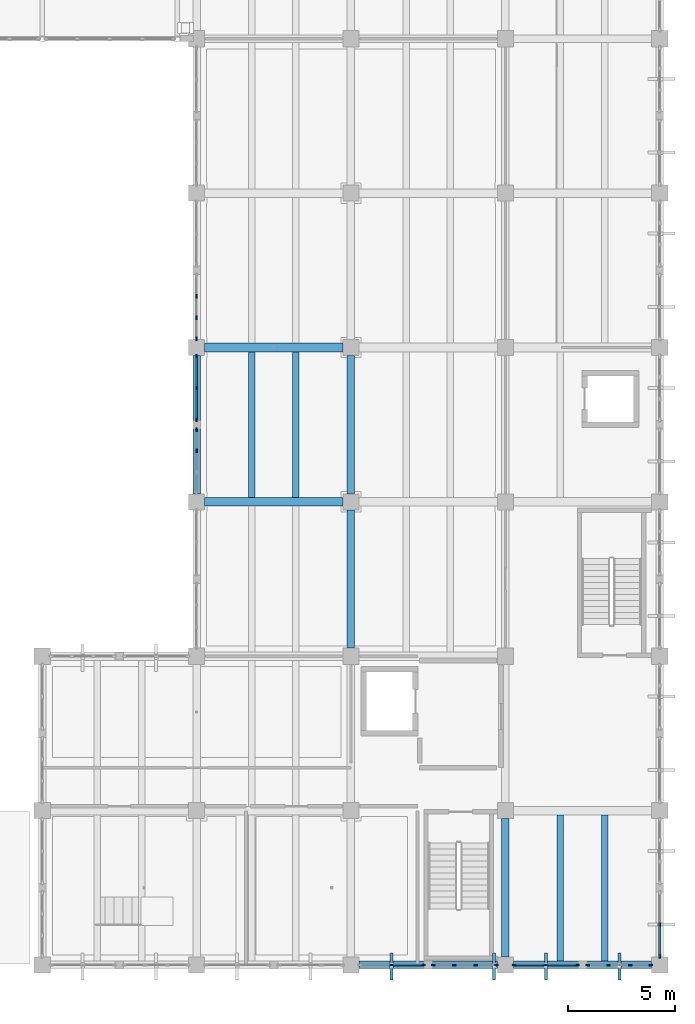
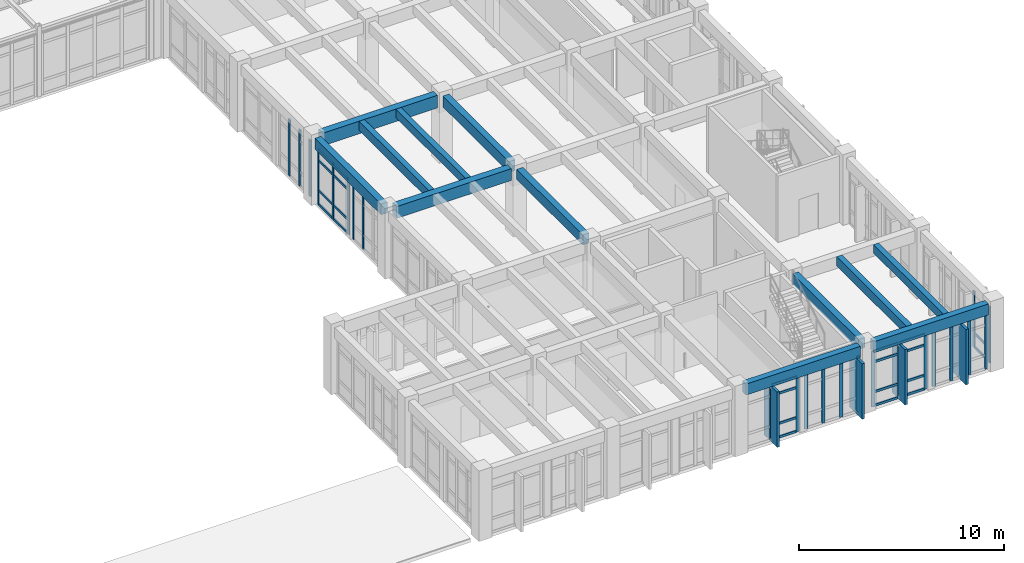
# One storey, part 55 of 136: 49 members, 12 beams, 8 elements without a shape of their own.
"""IFC4 building model written with IfcOpenShell, lengths in metres."""

from ifc_helpers import new_model, si_unit, direction, frame, origin, origin_2d, place, context, subcontext, project, spatial, rectangle, extrude, material, layer, layer_set, material_profile, profile_set, type_object, element, aggregate, save


model = new_model("IFC4")

# Units and contexts
model_context = context("Model", 3, precision=1e-05, world=origin(), true_north=direction((0.0, 1.0)))
body_context = subcontext(model_context, "Body", "Model", "MODEL_VIEW")
ifc_project = project(units=[si_unit("LENGTHUNIT", "METRE"), si_unit("AREAUNIT", "SQUARE_METRE"), si_unit("VOLUMEUNIT", "CUBIC_METRE"), si_unit("PLANEANGLEUNIT", "RADIAN"), si_unit("MASSUNIT", "GRAM", prefix="KILO")], contexts=[model_context])

# Site, building, storey
site_placement = place(None, origin())
site = spatial("IfcSite", under=ifc_project, at=site_placement, CompositionType="ELEMENT")
building_placement = place(site_placement, origin())
building = spatial("IfcBuilding", under=site, at=building_placement, Name="Koriwan Promenade Central Fire Station", CompositionType="ELEMENT")
storey_placement = place(building_placement, frame((0.0, 0.0, 5.39990234375)))
storey = spatial("IfcBuildingStorey", under=building, at=storey_placement, Name="L01", CompositionType="ELEMENT", Elevation=5.39990234375)

# Beams
ifc_material_1 = material(Name="Concrete C35/45", Category="concrete")
ifc_material_profile_1 = material_profile(ifc_material_1, rectangle(XDim=0.300048828125, YDim=0.5, at=origin_2d()), Name="RC-BM-300x500")
ifc_profile_set_1 = profile_set([ifc_material_profile_1], Name="Concrete C35/45")
beam_type_1 = type_object("IfcBeamType", Name="Beam_RC-BM-300x500", PredefinedType="JOIST", material=ifc_profile_set_1)
beam_1_placement = place(storey_placement, frame((170.23193359375, 0.175048828125, 3.7001953125), z_axis=(0.0, 1.0, 0.0), x_axis=(-1.0, 0.0, 0.0)))
element("IfcBeam", 1, at=beam_1_placement, inside=storey, type_object=beam_type_1, Name="V5 L01 secondary joist 705", PredefinedType="JOIST", context=body_context, shape_type="SweptSolid", body=[
    extrude(rectangle(XDim=0.300048828125, YDim=0.5, at=origin_2d()), origin(), (0.0, 0.0, 1.0), 6.824951171875),
])
beam_2_placement = place(storey_placement, frame((155.83203125, 21.800048828125, 3.7001953125), z_axis=(0.0, 1.0, 0.0), x_axis=(-1.0, 0.0, 0.0)))
element("IfcBeam", 2, at=beam_2_placement, inside=storey, type_object=beam_type_1, Name="V5 L01 secondary joist 715", PredefinedType="JOIST", context=body_context, shape_type="SweptSolid", body=[
    extrude(rectangle(XDim=0.300048828125, YDim=0.5, at=origin_2d()), origin(), (0.0, 0.0, 1.0), 6.800048828125),
])
ifc_material_profile_2 = material_profile(ifc_material_1, rectangle(XDim=0.300048828125, YDim=0.550048828125, at=origin_2d()), Name="RC-BM-300x550")
ifc_profile_set_2 = profile_set([ifc_material_profile_2], Name="Concrete C35/45")
beam_type_2 = type_object("IfcBeamType", Name="Beam_RC-BM-300x550", PredefinedType="JOIST", material=ifc_profile_set_2)
beam_3_placement = place(storey_placement, frame((168.16796875, 0.175048828125, 3.675048828125), z_axis=(0.0, 1.0, 0.0), x_axis=(-1.0, 0.0, 0.0)))
element("IfcBeam", 3, at=beam_3_placement, inside=storey, type_object=beam_type_2, Name="V5 L01 secondary joist 704", PredefinedType="JOIST", context=body_context, shape_type="SweptSolid", body=[
    extrude(rectangle(XDim=0.300048828125, YDim=0.550048828125, at=origin_2d()), origin(), (0.0, 0.0, 1.0), 6.824951171875),
])
beam_4_placement = place(storey_placement, frame((153.76806640625, 21.800048828125, 3.675048828125), z_axis=(0.0, 1.0, 0.0), x_axis=(-1.0, 0.0, 0.0)))
element("IfcBeam", 4, at=beam_4_placement, inside=storey, type_object=beam_type_2, Name="V5 L01 secondary joist 714", PredefinedType="JOIST", context=body_context, shape_type="SweptSolid", body=[
    extrude(rectangle(XDim=0.300048828125, YDim=0.550048828125, at=origin_2d()), origin(), (0.0, 0.0, 1.0), 6.800048828125),
])
ifc_material_profile_3 = material_profile(ifc_material_1, rectangle(XDim=0.35009765625, YDim=0.60009765625, at=origin_2d()), Name="RC-BM-350x600")
ifc_profile_set_3 = profile_set([ifc_material_profile_3], Name="Concrete C35/45")
beam_type_3 = type_object("IfcBeamType", Name="Beam_RC-BM-350x600", PredefinedType="BEAM", material=ifc_profile_set_3)
beam_5_placement = place(storey_placement, frame((158.39990234375, 14.77490234375, 3.650146484375), z_axis=(0.0, 1.0, 0.0), x_axis=(-1.0, 0.0, 0.0)))
element("IfcBeam", 5, at=beam_5_placement, inside=storey, type_object=beam_type_3, Name="V5 L01 girder Y-672", PredefinedType="BEAM", context=body_context, shape_type="SweptSolid", body=[
    extrude(rectangle(XDim=0.35009765625, YDim=0.60009765625, at=origin_2d()), origin(), (0.0, 0.0, 1.0), 6.4501953125),
])
beam_6_placement = place(storey_placement, frame((165.60009765625, 0.375, 3.650146484375), z_axis=(0.0, 1.0, 0.0), x_axis=(-1.0, 0.0, 0.0)))
element("IfcBeam", 6, at=beam_6_placement, inside=storey, type_object=beam_type_3, Name="V5 L01 girder Y-680", PredefinedType="BEAM", context=body_context, shape_type="SweptSolid", body=[
    extrude(rectangle(XDim=0.35009765625, YDim=0.60009765625, at=origin_2d()), origin(), (0.0, 0.0, 1.0), 6.449951171875),
])
ifc_material_profile_4 = material_profile(ifc_material_1, rectangle(XDim=0.35009765625, YDim=0.64990234375, at=origin_2d()), Name="RC-BM-350x650")
ifc_profile_set_4 = profile_set([ifc_material_profile_4], Name="Concrete C35/45")
beam_type_4 = type_object("IfcBeamType", Name="Beam_RC-BM-350x650", PredefinedType="BEAM", material=ifc_profile_set_4)
for number, where, z_axis, x_axis, name in (
    (7, (151.199951171875, 21.97509765625, 3.625), (0.0, 1.0, 0.0), (-1.0, 0.0, 0.0), "V5 L01 girder Y-663"),
    (8, (158.39990234375, 21.97509765625, 3.625), (0.0, 1.0, 0.0), (-1.0, 0.0, 0.0), "V5 L01 girder Y-673"),
):
    element("IfcBeam", number, at=place(storey_placement, frame(where, z_axis=z_axis, x_axis=x_axis)), inside=storey, type_object=beam_type_4, Name=name, PredefinedType="BEAM", context=body_context, shape_type="SweptSolid", body=[
        extrude(rectangle(XDim=0.35009765625, YDim=0.64990234375, at=origin_2d()), origin(), (0.0, 0.0, 1.0), 6.449951171875),
    ])
ifc_material_profile_5 = material_profile(ifc_material_1, rectangle(XDim=0.39990234375, YDim=0.699951171875, at=origin_2d()), Name="RC-BM-400x700")
ifc_profile_set_5 = profile_set([ifc_material_profile_5], Name="Concrete C35/45")
beam_type_5 = type_object("IfcBeamType", Name="Beam_RC-BM-400x700", PredefinedType="BEAM", material=ifc_profile_set_5)
beam_7_placement = place(storey_placement, frame((151.574951171875, 21.60009765625, 3.60009765625), z_axis=(1.0, 0.0, 0.0), x_axis=(0.0, 1.0, 0.0)))
element("IfcBeam", 9, at=beam_7_placement, inside=storey, type_object=beam_type_5, Name="V5 L01 girder X-634", PredefinedType="BEAM", context=body_context, shape_type="SweptSolid", body=[
    extrude(rectangle(XDim=0.39990234375, YDim=0.699951171875, at=origin_2d()), origin(), (0.0, 0.0, 1.0), 6.449951171875),
])
ifc_material_profile_6 = material_profile(ifc_material_1, rectangle(XDim=0.39990234375, YDim=0.75, at=origin_2d()), Name="RC-BM-400x750")
ifc_profile_set_6 = profile_set([ifc_material_profile_6], Name="Concrete C35/45")
beam_type_6 = type_object("IfcBeamType", Name="Beam_RC-BM-400x750", PredefinedType="BEAM", material=ifc_profile_set_6)
beam_8_placement = place(storey_placement, frame((151.574951171875, 28.800048828125, 3.5751953125), z_axis=(1.0, 0.0, 0.0), x_axis=(0.0, 1.0, 0.0)))
element("IfcBeam", 10, at=beam_8_placement, inside=storey, type_object=beam_type_6, Name="V5 L01 girder X-637", PredefinedType="BEAM", context=body_context, shape_type="SweptSolid", body=[
    extrude(rectangle(XDim=0.39990234375, YDim=0.75, at=origin_2d()), origin(), (0.0, 0.0, 1.0), 6.449951171875),
])
ifc_material_profile_7 = material_profile(ifc_material_1, rectangle(XDim=0.35009765625, YDim=0.64990234375, at=origin_2d()), Name="RC-SP-350x650")
ifc_profile_set_7 = profile_set([ifc_material_profile_7], Name="Concrete C35/45")
beam_type_7 = type_object("IfcBeamType", Name="Beam_RC-SP-350x650", PredefinedType="SPANDREL", material=ifc_profile_set_7)
beam_9_placement = place(storey_placement, frame((158.77490234375, 0.0, 3.625), z_axis=(1.0, 0.0, 0.0), x_axis=(0.0, 1.0, 0.0)))
element("IfcBeam", 11, at=beam_9_placement, inside=storey, type_object=beam_type_7, Name="V5 L01 girder X-626", PredefinedType="SPANDREL", context=body_context, shape_type="SweptSolid", body=[
    extrude(rectangle(XDim=0.35009765625, YDim=0.64990234375, at=origin_2d()), origin(), (0.0, 0.0, 1.0), 6.4501953125),
])
beam_10_placement = place(storey_placement, frame((165.97509765625, 0.0, 3.625), z_axis=(1.0, 0.0, 0.0), x_axis=(0.0, 1.0, 0.0)))
element("IfcBeam", 12, at=beam_10_placement, inside=storey, type_object=beam_type_7, Name="V5 L01 girder X-627", PredefinedType="SPANDREL", context=body_context, shape_type="SweptSolid", body=[
    extrude(rectangle(XDim=0.35009765625, YDim=0.64990234375, at=origin_2d()), origin(), (0.0, 0.0, 1.0), 6.449951171875),
])

# Curtain wall, members
ifc_material_2 = material(Name="Aluminium EN AW-6063-T6 and low-E glazing", Category="aluminium")
ifc_layer_1 = layer(ifc_material_2, 0.159912109375, Name="Aluminium EN AW-6063-T6 and low-E glazing")
ifc_layer_set_1 = layer_set([ifc_layer_1], Name="Aluminium EN AW-6063-T6 and low-E glazing")
curtain_wall_type_1 = type_object("IfcCurtainWallType", Name="CurtainWall_61_303x329", PredefinedType="USERDEFINED", material=ifc_layer_set_1)
curtain_wall_1_placement = place(storey_placement, origin())
curtain_wall_1 = element("IfcCurtainWall", 13, at=curtain_wall_1_placement, inside=storey, type_object=curtain_wall_type_1, Name="V5 L01 unitised curtain wall 161", ObjectType="UNITISED CURTAIN WALL", PredefinedType="USERDEFINED")
ifc_material_3 = material(Name="Aluminium EN AW-6063-T6", Category="aluminium")
ifc_material_profile_8 = material_profile(ifc_material_3, rectangle(XDim=0.074951171875, YDim=0.179931640625, at=origin_2d()), Name="ALU-MUL-75x180")
ifc_profile_set_8 = profile_set([ifc_material_profile_8], Name="Aluminium EN AW-6063-T6")
member_type_1 = type_object("IfcMemberType", Name="CWMullion_ALU-MUL-75x180", PredefinedType="MULLION", material=ifc_profile_set_8)
member_1_placement = place(storey_placement, frame((172.387451171875, 0.0, 0.0), z_axis=(0.0, 0.0, 1.0), x_axis=(0.0, -1.0, 0.0)))
member_1 = element("IfcMember", 14, at=member_1_placement, type_object=member_type_1, Name="CW-61 mullion 1", PredefinedType="MULLION", context=body_context, shape_type="SweptSolid", body=[
    extrude(rectangle(XDim=0.074951171875, YDim=0.179931640625, at=origin_2d()), origin(), (0.0, 0.0, 1.0), 3.2900390625),
])
member_2_placement = place(storey_placement, frame((171.416748046875, 0.0, 0.0), z_axis=(0.0, 0.0, 1.0), x_axis=(0.0, -1.0, 0.0)))
member_2 = element("IfcMember", 15, at=member_2_placement, type_object=member_type_1, Name="CW-61 mullion 2", PredefinedType="MULLION", context=body_context, shape_type="SweptSolid", body=[
    extrude(rectangle(XDim=0.074951171875, YDim=0.179931640625, at=origin_2d()), origin(), (0.0, 0.0, 1.0), 3.2900390625),
])
member_3_placement = place(storey_placement, frame((170.408447265625, 0.0, 0.0), z_axis=(0.0, 0.0, 1.0), x_axis=(0.0, -1.0, 0.0)))
member_3 = element("IfcMember", 16, at=member_3_placement, type_object=member_type_1, Name="CW-61 mullion 3", PredefinedType="MULLION", context=body_context, shape_type="SweptSolid", body=[
    extrude(rectangle(XDim=0.074951171875, YDim=0.179931640625, at=origin_2d()), origin(), (0.0, 0.0, 1.0), 3.2900390625),
])
member_4_placement = place(storey_placement, frame((169.4375, 0.0, 0.0), z_axis=(0.0, 0.0, 1.0), x_axis=(0.0, -1.0, 0.0)))
member_4 = element("IfcMember", 17, at=member_4_placement, type_object=member_type_1, Name="CW-61 mullion 4", PredefinedType="MULLION", context=body_context, shape_type="SweptSolid", body=[
    extrude(rectangle(XDim=0.074951171875, YDim=0.179931640625, at=origin_2d()), origin(), (0.0, 0.0, 1.0), 3.2900390625),
])
aggregate(curtain_wall_1, [member_1, member_2, member_3, member_4])

ifc_layer_2 = layer(ifc_material_2, 0.159912109375, Name="Aluminium EN AW-6063-T6 and low-E glazing")
ifc_layer_set_2 = layer_set([ifc_layer_2], Name="Aluminium EN AW-6063-T6 and low-E glazing")
curtain_wall_type_2 = type_object("IfcCurtainWallType", Name="CurtainWall_08_303x329", PredefinedType="USERDEFINED", material=ifc_layer_set_2)
curtain_wall_2_placement = place(storey_placement, origin())
curtain_wall_2 = element("IfcCurtainWall", 18, at=curtain_wall_2_placement, inside=storey, type_object=curtain_wall_type_2, Name="V5 L01 unitised curtain wall 162", ObjectType="UNITISED CURTAIN WALL", PredefinedType="USERDEFINED")
member_5_placement = place(storey_placement, frame((168.96240234375, 0.0, 0.0), z_axis=(0.0, 0.0, 1.0), x_axis=(0.0, -1.0, 0.0)))
member_5 = element("IfcMember", 19, at=member_5_placement, type_object=member_type_1, Name="CW-08 mullion 1", PredefinedType="MULLION", context=body_context, shape_type="SweptSolid", body=[
    extrude(rectangle(XDim=0.074951171875, YDim=0.179931640625, at=origin_2d()), origin(), (0.0, 0.0, 1.0), 3.2900390625),
])
member_6_placement = place(storey_placement, frame((167.487548828125, 0.0, 0.0), z_axis=(0.0, 0.0, 1.0), x_axis=(0.0, -1.0, 0.0)))
member_6 = element("IfcMember", 20, at=member_6_placement, type_object=member_type_1, Name="CW-08 mullion 2", PredefinedType="MULLION", context=body_context, shape_type="SweptSolid", body=[
    extrude(rectangle(XDim=0.074951171875, YDim=0.179931640625, at=origin_2d()), origin(), (0.0, 0.0, 1.0), 3.2900390625),
])
member_7_placement = place(storey_placement, frame((166.012451171875, 0.0, 0.0), z_axis=(0.0, 0.0, 1.0), x_axis=(0.0, -1.0, 0.0)))
member_7 = element("IfcMember", 21, at=member_7_placement, type_object=member_type_1, Name="CW-08 mullion 3", PredefinedType="MULLION", context=body_context, shape_type="SweptSolid", body=[
    extrude(rectangle(XDim=0.074951171875, YDim=0.179931640625, at=origin_2d()), origin(), (0.0, 0.0, 1.0), 3.2900390625),
])

curtain_wall_3_placement = place(storey_placement, origin())
curtain_wall_3 = element("IfcCurtainWall", 22, at=curtain_wall_3_placement, inside=storey, type_object=curtain_wall_type_1, Name="V5 L01 unitised curtain wall 163", ObjectType="UNITISED CURTAIN WALL", PredefinedType="USERDEFINED")
member_8_placement = place(storey_placement, frame((165.1875, 0.0, 0.0), z_axis=(0.0, 0.0, 1.0), x_axis=(0.0, -1.0, 0.0)))
member_8 = element("IfcMember", 23, at=member_8_placement, type_object=member_type_1, Name="CW-61 mullion 1", PredefinedType="MULLION", context=body_context, shape_type="SweptSolid", body=[
    extrude(rectangle(XDim=0.074951171875, YDim=0.179931640625, at=origin_2d()), origin(), (0.0, 0.0, 1.0), 3.2900390625),
])
member_9_placement = place(storey_placement, frame((164.216552734375, 0.0, 0.0), z_axis=(0.0, 0.0, 1.0), x_axis=(0.0, -1.0, 0.0)))
member_9 = element("IfcMember", 24, at=member_9_placement, type_object=member_type_1, Name="CW-61 mullion 2", PredefinedType="MULLION", context=body_context, shape_type="SweptSolid", body=[
    extrude(rectangle(XDim=0.074951171875, YDim=0.179931640625, at=origin_2d()), origin(), (0.0, 0.0, 1.0), 3.2900390625),
])
member_10_placement = place(storey_placement, frame((163.208251953125, 0.0, 0.0), z_axis=(0.0, 0.0, 1.0), x_axis=(0.0, -1.0, 0.0)))
member_10 = element("IfcMember", 25, at=member_10_placement, type_object=member_type_1, Name="CW-61 mullion 3", PredefinedType="MULLION", context=body_context, shape_type="SweptSolid", body=[
    extrude(rectangle(XDim=0.074951171875, YDim=0.179931640625, at=origin_2d()), origin(), (0.0, 0.0, 1.0), 3.2900390625),
])
member_11_placement = place(storey_placement, frame((162.237548828125, 0.0, 0.0), z_axis=(0.0, 0.0, 1.0), x_axis=(0.0, -1.0, 0.0)))
member_11 = element("IfcMember", 26, at=member_11_placement, type_object=member_type_1, Name="CW-61 mullion 4", PredefinedType="MULLION", context=body_context, shape_type="SweptSolid", body=[
    extrude(rectangle(XDim=0.074951171875, YDim=0.179931640625, at=origin_2d()), origin(), (0.0, 0.0, 1.0), 3.2900390625),
])
aggregate(curtain_wall_3, [member_8, member_9, member_10, member_11])

curtain_wall_4_placement = place(storey_placement, origin())
curtain_wall_4 = element("IfcCurtainWall", 27, at=curtain_wall_4_placement, inside=storey, type_object=curtain_wall_type_2, Name="V5 L01 unitised curtain wall 164", ObjectType="UNITISED CURTAIN WALL", PredefinedType="USERDEFINED")
member_12_placement = place(storey_placement, frame((161.762451171875, 0.0, 0.0), z_axis=(0.0, 0.0, 1.0), x_axis=(0.0, -1.0, 0.0)))
member_12 = element("IfcMember", 28, at=member_12_placement, type_object=member_type_1, Name="CW-08 mullion 1", PredefinedType="MULLION", context=body_context, shape_type="SweptSolid", body=[
    extrude(rectangle(XDim=0.074951171875, YDim=0.179931640625, at=origin_2d()), origin(), (0.0, 0.0, 1.0), 3.2900390625),
])
member_13_placement = place(storey_placement, frame((160.28759765625, 0.0, 0.0), z_axis=(0.0, 0.0, 1.0), x_axis=(0.0, -1.0, 0.0)))
member_13 = element("IfcMember", 29, at=member_13_placement, type_object=member_type_1, Name="CW-08 mullion 2", PredefinedType="MULLION", context=body_context, shape_type="SweptSolid", body=[
    extrude(rectangle(XDim=0.074951171875, YDim=0.179931640625, at=origin_2d()), origin(), (0.0, 0.0, 1.0), 3.2900390625),
])

ifc_layer_3 = layer(ifc_material_2, 0.159912109375, Name="Aluminium EN AW-6063-T6 and low-E glazing")
ifc_layer_set_3 = layer_set([ifc_layer_3], Name="Aluminium EN AW-6063-T6 and low-E glazing")
curtain_wall_type_3 = type_object("IfcCurtainWallType", Name="CurtainWall_62_302x329", PredefinedType="USERDEFINED", material=ifc_layer_set_3)
curtain_wall_5_placement = place(storey_placement, origin())
curtain_wall_5 = element("IfcCurtainWall", 30, at=curtain_wall_5_placement, inside=storey, type_object=curtain_wall_type_3, Name="V5 L01 unitised curtain wall 177", ObjectType="UNITISED CURTAIN WALL", PredefinedType="USERDEFINED")
member_14_placement = place(storey_placement, frame((151.199951171875, 23.99169921875, 0.0), z_axis=(0.0, 0.0, 1.0), x_axis=(-1.0, 0.0, 0.0)))
member_14 = element("IfcMember", 31, at=member_14_placement, type_object=member_type_1, Name="CW-62 mullion 3", PredefinedType="MULLION", context=body_context, shape_type="SweptSolid", body=[
    extrude(rectangle(XDim=0.074951171875, YDim=0.179931640625, at=origin_2d()), origin(), (0.0, 0.0, 1.0), 3.2900390625),
])
member_15_placement = place(storey_placement, frame((151.199951171875, 24.96240234375, 0.0), z_axis=(0.0, 0.0, 1.0), x_axis=(-1.0, 0.0, 0.0)))
member_15 = element("IfcMember", 32, at=member_15_placement, type_object=member_type_1, Name="CW-62 mullion 4", PredefinedType="MULLION", context=body_context, shape_type="SweptSolid", body=[
    extrude(rectangle(XDim=0.074951171875, YDim=0.179931640625, at=origin_2d()), origin(), (0.0, 0.0, 1.0), 3.2900390625),
])
aggregate(curtain_wall_5, [member_14, member_15])

curtain_wall_6_placement = place(storey_placement, origin())
curtain_wall_6 = element("IfcCurtainWall", 33, at=curtain_wall_6_placement, inside=storey, type_object=curtain_wall_type_2, Name="V5 L01 unitised curtain wall 178", ObjectType="UNITISED CURTAIN WALL", PredefinedType="USERDEFINED")
member_16_placement = place(storey_placement, frame((151.199951171875, 25.4375, 0.0), z_axis=(0.0, 0.0, 1.0), x_axis=(-1.0, 0.0, 0.0)))
member_16 = element("IfcMember", 34, at=member_16_placement, type_object=member_type_1, Name="CW-08 mullion 1", PredefinedType="MULLION", context=body_context, shape_type="SweptSolid", body=[
    extrude(rectangle(XDim=0.074951171875, YDim=0.179931640625, at=origin_2d()), origin(), (0.0, 0.0, 1.0), 3.2900390625),
])
member_17_placement = place(storey_placement, frame((151.199951171875, 26.91259765625, 0.0), z_axis=(0.0, 0.0, 1.0), x_axis=(-1.0, 0.0, 0.0)))
member_17 = element("IfcMember", 35, at=member_17_placement, type_object=member_type_1, Name="CW-08 mullion 2", PredefinedType="MULLION", context=body_context, shape_type="SweptSolid", body=[
    extrude(rectangle(XDim=0.074951171875, YDim=0.179931640625, at=origin_2d()), origin(), (0.0, 0.0, 1.0), 3.2900390625),
])
member_18_placement = place(storey_placement, frame((151.199951171875, 28.387451171875, 0.0), z_axis=(0.0, 0.0, 1.0), x_axis=(-1.0, 0.0, 0.0)))
member_18 = element("IfcMember", 36, at=member_18_placement, type_object=member_type_1, Name="CW-08 mullion 3", PredefinedType="MULLION", context=body_context, shape_type="SweptSolid", body=[
    extrude(rectangle(XDim=0.074951171875, YDim=0.179931640625, at=origin_2d()), origin(), (0.0, 0.0, 1.0), 3.2900390625),
])

ifc_layer_4 = layer(ifc_material_2, 0.159912109375, Name="Aluminium EN AW-6063-T6 and low-E glazing")
ifc_layer_set_4 = layer_set([ifc_layer_4], Name="Aluminium EN AW-6063-T6 and low-E glazing")
curtain_wall_type_4 = type_object("IfcCurtainWallType", Name="CurtainWall_67_303x334", PredefinedType="USERDEFINED", material=ifc_layer_set_4)
curtain_wall_7_placement = place(storey_placement, origin())
curtain_wall_7 = element("IfcCurtainWall", 37, at=curtain_wall_7_placement, inside=storey, type_object=curtain_wall_type_4, Name="V5 L01 unitised curtain wall 179", ObjectType="UNITISED CURTAIN WALL", PredefinedType="USERDEFINED")
member_19_placement = place(storey_placement, frame((151.199951171875, 29.21240234375, 0.0), z_axis=(0.0, 0.0, 1.0), x_axis=(-1.0, 0.0, 0.0)))
member_19 = element("IfcMember", 38, at=member_19_placement, type_object=member_type_1, Name="CW-67 mullion 1", PredefinedType="MULLION", context=body_context, shape_type="SweptSolid", body=[
    extrude(rectangle(XDim=0.074951171875, YDim=0.179931640625, at=origin_2d()), origin(), (0.0, 0.0, 1.0), 3.340087890625),
])
member_20_placement = place(storey_placement, frame((151.199951171875, 30.183349609375, 0.0), z_axis=(0.0, 0.0, 1.0), x_axis=(-1.0, 0.0, 0.0)))
member_20 = element("IfcMember", 39, at=member_20_placement, type_object=member_type_1, Name="CW-67 mullion 2", PredefinedType="MULLION", context=body_context, shape_type="SweptSolid", body=[
    extrude(rectangle(XDim=0.074951171875, YDim=0.179931640625, at=origin_2d()), origin(), (0.0, 0.0, 1.0), 3.340087890625),
])
member_21_placement = place(storey_placement, frame((151.199951171875, 31.191650390625, 0.0), z_axis=(0.0, 0.0, 1.0), x_axis=(-1.0, 0.0, 0.0)))
member_21 = element("IfcMember", 40, at=member_21_placement, type_object=member_type_1, Name="CW-67 mullion 3", PredefinedType="MULLION", context=body_context, shape_type="SweptSolid", body=[
    extrude(rectangle(XDim=0.074951171875, YDim=0.179931640625, at=origin_2d()), origin(), (0.0, 0.0, 1.0), 3.340087890625),
])
aggregate(curtain_wall_7, [member_19, member_20, member_21])

ifc_layer_5 = layer(ifc_material_2, 0.159912109375, Name="Aluminium EN AW-6063-T6 and low-E glazing")
ifc_layer_set_5 = layer_set([ifc_layer_5], Name="Aluminium EN AW-6063-T6 and low-E glazing")
curtain_wall_type_5 = type_object("IfcCurtainWallType", Name="CurtainWall_68_302x334", PredefinedType="USERDEFINED", material=ifc_layer_set_5)
curtain_wall_8_placement = place(storey_placement, origin())
curtain_wall_8 = element("IfcCurtainWall", 41, at=curtain_wall_8_placement, inside=storey, type_object=curtain_wall_type_5, Name="V5 L01 unitised curtain wall 208", ObjectType="UNITISED CURTAIN WALL", PredefinedType="USERDEFINED")
member_22_placement = place(storey_placement, frame((172.800048828125, 1.887451171875, 0.0), z_axis=(0.0, 0.0, 1.0), x_axis=(1.0, 0.0, 0.0)))
member_22 = element("IfcMember", 42, at=member_22_placement, type_object=member_type_1, Name="CW-68 mullion 2", PredefinedType="MULLION", context=body_context, shape_type="SweptSolid", body=[
    extrude(rectangle(XDim=0.074951171875, YDim=0.179931640625, at=origin_2d()), origin(), (0.0, 0.0, 1.0), 3.340087890625),
])
member_23_placement = place(storey_placement, frame((172.800048828125, 0.41259765625, 0.0), z_axis=(0.0, 0.0, 1.0), x_axis=(1.0, 0.0, 0.0)))
member_23 = element("IfcMember", 43, at=member_23_placement, type_object=member_type_1, Name="CW-68 mullion 3", PredefinedType="MULLION", context=body_context, shape_type="SweptSolid", body=[
    extrude(rectangle(XDim=0.074951171875, YDim=0.179931640625, at=origin_2d()), origin(), (0.0, 0.0, 1.0), 3.340087890625),
])

# Member
ifc_material_profile_9 = material_profile(ifc_material_3, rectangle(XDim=0.074951171875, YDim=0.139892578125, at=origin_2d()), Name="ALU-TRN-75x140")
ifc_profile_set_9 = profile_set([ifc_material_profile_9], Name="Aluminium EN AW-6063-T6")
member_type_2 = type_object("IfcMemberType", Name="CWTransom_ALU-TRN-75x140", PredefinedType="USERDEFINED", material=ifc_profile_set_9)
member_24_placement = place(storey_placement, frame((168.925048828125, 0.0, 0.03759765625), z_axis=(-1.0, 0.0, 0.0), x_axis=(0.0, -1.0, 0.0)))
member_24 = element("IfcMember", 44, at=member_24_placement, type_object=member_type_2, Name="CW-08 transom 1.1", ObjectType="TRANSOM", PredefinedType="USERDEFINED", context=body_context, shape_type="SweptSolid", body=[
    extrude(rectangle(XDim=0.074951171875, YDim=0.139892578125, at=origin_2d()), origin(), (0.0, 0.0, 1.0), 1.400146484375),
])

member_25_placement = place(storey_placement, frame((168.925048828125, 0.0, 0.85009765625), z_axis=(-1.0, 0.0, 0.0), x_axis=(0.0, -1.0, 0.0)))
member_25 = element("IfcMember", 45, at=member_25_placement, type_object=member_type_2, Name="CW-08 transom 1.2", ObjectType="TRANSOM", PredefinedType="USERDEFINED", context=body_context, shape_type="SweptSolid", body=[
    extrude(rectangle(XDim=0.074951171875, YDim=0.139892578125, at=origin_2d()), origin(), (0.0, 0.0, 1.0), 1.400146484375),
])

member_26_placement = place(storey_placement, frame((168.925048828125, 0.0, 2.64013671875), z_axis=(-1.0, 0.0, 0.0), x_axis=(0.0, -1.0, 0.0)))
member_26 = element("IfcMember", 46, at=member_26_placement, type_object=member_type_2, Name="CW-08 transom 1.3", ObjectType="TRANSOM", PredefinedType="USERDEFINED", context=body_context, shape_type="SweptSolid", body=[
    extrude(rectangle(XDim=0.074951171875, YDim=0.139892578125, at=origin_2d()), origin(), (0.0, 0.0, 1.0), 1.400146484375),
])

member_27_placement = place(storey_placement, frame((168.925048828125, 0.0, 3.252685546875), z_axis=(-1.0, 0.0, 0.0), x_axis=(0.0, -1.0, 0.0)))
member_27 = element("IfcMember", 47, at=member_27_placement, type_object=member_type_2, Name="CW-08 transom 1.4", ObjectType="TRANSOM", PredefinedType="USERDEFINED", context=body_context, shape_type="SweptSolid", body=[
    extrude(rectangle(XDim=0.074951171875, YDim=0.139892578125, at=origin_2d()), origin(), (0.0, 0.0, 1.0), 1.400146484375),
])

member_28_placement = place(storey_placement, frame((167.449951171875, 0.0, 0.03759765625), z_axis=(-1.0, 0.0, 0.0), x_axis=(0.0, -1.0, 0.0)))
member_28 = element("IfcMember", 48, at=member_28_placement, type_object=member_type_2, Name="CW-08 transom 2.1", ObjectType="TRANSOM", PredefinedType="USERDEFINED", context=body_context, shape_type="SweptSolid", body=[
    extrude(rectangle(XDim=0.074951171875, YDim=0.139892578125, at=origin_2d()), origin(), (0.0, 0.0, 1.0), 1.39990234375),
])

member_29_placement = place(storey_placement, frame((167.449951171875, 0.0, 0.85009765625), z_axis=(-1.0, 0.0, 0.0), x_axis=(0.0, -1.0, 0.0)))
member_29 = element("IfcMember", 49, at=member_29_placement, type_object=member_type_2, Name="CW-08 transom 2.2", ObjectType="TRANSOM", PredefinedType="USERDEFINED", context=body_context, shape_type="SweptSolid", body=[
    extrude(rectangle(XDim=0.074951171875, YDim=0.139892578125, at=origin_2d()), origin(), (0.0, 0.0, 1.0), 1.39990234375),
])

member_30_placement = place(storey_placement, frame((167.449951171875, 0.0, 2.64013671875), z_axis=(-1.0, 0.0, 0.0), x_axis=(0.0, -1.0, 0.0)))
member_30 = element("IfcMember", 50, at=member_30_placement, type_object=member_type_2, Name="CW-08 transom 2.3", ObjectType="TRANSOM", PredefinedType="USERDEFINED", context=body_context, shape_type="SweptSolid", body=[
    extrude(rectangle(XDim=0.074951171875, YDim=0.139892578125, at=origin_2d()), origin(), (0.0, 0.0, 1.0), 1.39990234375),
])

member_31_placement = place(storey_placement, frame((167.449951171875, 0.0, 3.252685546875), z_axis=(-1.0, 0.0, 0.0), x_axis=(0.0, -1.0, 0.0)))
member_31 = element("IfcMember", 51, at=member_31_placement, type_object=member_type_2, Name="CW-08 transom 2.4", ObjectType="TRANSOM", PredefinedType="USERDEFINED", context=body_context, shape_type="SweptSolid", body=[
    extrude(rectangle(XDim=0.074951171875, YDim=0.139892578125, at=origin_2d()), origin(), (0.0, 0.0, 1.0), 1.39990234375),
])

aggregate(curtain_wall_2, [member_5, member_6, member_7, member_24, member_25, member_26, member_27, member_28, member_29, member_30, member_31])

member_32_placement = place(storey_placement, frame((161.72509765625, 0.0, 0.03759765625), z_axis=(-1.0, 0.0, 0.0), x_axis=(0.0, -1.0, 0.0)))
member_32 = element("IfcMember", 52, at=member_32_placement, type_object=member_type_2, Name="CW-08 transom 1.1", ObjectType="TRANSOM", PredefinedType="USERDEFINED", context=body_context, shape_type="SweptSolid", body=[
    extrude(rectangle(XDim=0.074951171875, YDim=0.139892578125, at=origin_2d()), origin(), (0.0, 0.0, 1.0), 1.400146484375),
])

member_33_placement = place(storey_placement, frame((161.72509765625, 0.0, 0.85009765625), z_axis=(-1.0, 0.0, 0.0), x_axis=(0.0, -1.0, 0.0)))
member_33 = element("IfcMember", 53, at=member_33_placement, type_object=member_type_2, Name="CW-08 transom 1.2", ObjectType="TRANSOM", PredefinedType="USERDEFINED", context=body_context, shape_type="SweptSolid", body=[
    extrude(rectangle(XDim=0.074951171875, YDim=0.139892578125, at=origin_2d()), origin(), (0.0, 0.0, 1.0), 1.400146484375),
])

member_34_placement = place(storey_placement, frame((161.72509765625, 0.0, 2.64013671875), z_axis=(-1.0, 0.0, 0.0), x_axis=(0.0, -1.0, 0.0)))
member_34 = element("IfcMember", 54, at=member_34_placement, type_object=member_type_2, Name="CW-08 transom 1.3", ObjectType="TRANSOM", PredefinedType="USERDEFINED", context=body_context, shape_type="SweptSolid", body=[
    extrude(rectangle(XDim=0.074951171875, YDim=0.139892578125, at=origin_2d()), origin(), (0.0, 0.0, 1.0), 1.400146484375),
])

member_35_placement = place(storey_placement, frame((161.72509765625, 0.0, 3.252685546875), z_axis=(-1.0, 0.0, 0.0), x_axis=(0.0, -1.0, 0.0)))
member_35 = element("IfcMember", 55, at=member_35_placement, type_object=member_type_2, Name="CW-08 transom 1.4", ObjectType="TRANSOM", PredefinedType="USERDEFINED", context=body_context, shape_type="SweptSolid", body=[
    extrude(rectangle(XDim=0.074951171875, YDim=0.139892578125, at=origin_2d()), origin(), (0.0, 0.0, 1.0), 1.400146484375),
])

aggregate(curtain_wall_4, [member_12, member_13, member_32, member_33, member_34, member_35])

member_36_placement = place(storey_placement, frame((151.199951171875, 25.47509765625, 0.03759765625), z_axis=(0.0, 1.0, 0.0), x_axis=(-1.0, 0.0, 0.0)))
member_36 = element("IfcMember", 56, at=member_36_placement, type_object=member_type_2, Name="CW-08 transom 1.1", ObjectType="TRANSOM", PredefinedType="USERDEFINED", context=body_context, shape_type="SweptSolid", body=[
    extrude(rectangle(XDim=0.074951171875, YDim=0.139892578125, at=origin_2d()), origin(), (0.0, 0.0, 1.0), 1.39990234375),
])

member_37_placement = place(storey_placement, frame((151.199951171875, 25.47509765625, 0.85009765625), z_axis=(0.0, 1.0, 0.0), x_axis=(-1.0, 0.0, 0.0)))
member_37 = element("IfcMember", 57, at=member_37_placement, type_object=member_type_2, Name="CW-08 transom 1.2", ObjectType="TRANSOM", PredefinedType="USERDEFINED", context=body_context, shape_type="SweptSolid", body=[
    extrude(rectangle(XDim=0.074951171875, YDim=0.139892578125, at=origin_2d()), origin(), (0.0, 0.0, 1.0), 1.39990234375),
])

member_38_placement = place(storey_placement, frame((151.199951171875, 25.47509765625, 2.64013671875), z_axis=(0.0, 1.0, 0.0), x_axis=(-1.0, 0.0, 0.0)))
member_38 = element("IfcMember", 58, at=member_38_placement, type_object=member_type_2, Name="CW-08 transom 1.3", ObjectType="TRANSOM", PredefinedType="USERDEFINED", context=body_context, shape_type="SweptSolid", body=[
    extrude(rectangle(XDim=0.074951171875, YDim=0.139892578125, at=origin_2d()), origin(), (0.0, 0.0, 1.0), 1.39990234375),
])

member_39_placement = place(storey_placement, frame((151.199951171875, 25.47509765625, 3.252685546875), z_axis=(0.0, 1.0, 0.0), x_axis=(-1.0, 0.0, 0.0)))
member_39 = element("IfcMember", 59, at=member_39_placement, type_object=member_type_2, Name="CW-08 transom 1.4", ObjectType="TRANSOM", PredefinedType="USERDEFINED", context=body_context, shape_type="SweptSolid", body=[
    extrude(rectangle(XDim=0.074951171875, YDim=0.139892578125, at=origin_2d()), origin(), (0.0, 0.0, 1.0), 1.39990234375),
])

member_40_placement = place(storey_placement, frame((151.199951171875, 26.949951171875, 0.03759765625), z_axis=(0.0, 1.0, 0.0), x_axis=(-1.0, 0.0, 0.0)))
member_40 = element("IfcMember", 60, at=member_40_placement, type_object=member_type_2, Name="CW-08 transom 2.1", ObjectType="TRANSOM", PredefinedType="USERDEFINED", context=body_context, shape_type="SweptSolid", body=[
    extrude(rectangle(XDim=0.074951171875, YDim=0.139892578125, at=origin_2d()), origin(), (0.0, 0.0, 1.0), 1.400146484375),
])

member_41_placement = place(storey_placement, frame((151.199951171875, 26.949951171875, 0.85009765625), z_axis=(0.0, 1.0, 0.0), x_axis=(-1.0, 0.0, 0.0)))
member_41 = element("IfcMember", 61, at=member_41_placement, type_object=member_type_2, Name="CW-08 transom 2.2", ObjectType="TRANSOM", PredefinedType="USERDEFINED", context=body_context, shape_type="SweptSolid", body=[
    extrude(rectangle(XDim=0.074951171875, YDim=0.139892578125, at=origin_2d()), origin(), (0.0, 0.0, 1.0), 1.400146484375),
])

member_42_placement = place(storey_placement, frame((151.199951171875, 26.949951171875, 2.64013671875), z_axis=(0.0, 1.0, 0.0), x_axis=(-1.0, 0.0, 0.0)))
member_42 = element("IfcMember", 62, at=member_42_placement, type_object=member_type_2, Name="CW-08 transom 2.3", ObjectType="TRANSOM", PredefinedType="USERDEFINED", context=body_context, shape_type="SweptSolid", body=[
    extrude(rectangle(XDim=0.074951171875, YDim=0.139892578125, at=origin_2d()), origin(), (0.0, 0.0, 1.0), 1.400146484375),
])

member_43_placement = place(storey_placement, frame((151.199951171875, 26.949951171875, 3.252685546875), z_axis=(0.0, 1.0, 0.0), x_axis=(-1.0, 0.0, 0.0)))
member_43 = element("IfcMember", 63, at=member_43_placement, type_object=member_type_2, Name="CW-08 transom 2.4", ObjectType="TRANSOM", PredefinedType="USERDEFINED", context=body_context, shape_type="SweptSolid", body=[
    extrude(rectangle(XDim=0.074951171875, YDim=0.139892578125, at=origin_2d()), origin(), (0.0, 0.0, 1.0), 1.400146484375),
])

aggregate(curtain_wall_6, [member_16, member_17, member_18, member_36, member_37, member_38, member_39, member_40, member_41, member_42, member_43])

member_44_placement = place(storey_placement, frame((172.800048828125, 1.85009765625, 0.03759765625), z_axis=(0.0, -1.0, 0.0), x_axis=(1.0, 0.0, 0.0)))
member_44 = element("IfcMember", 64, at=member_44_placement, type_object=member_type_2, Name="CW-68 transom 2.1", ObjectType="TRANSOM", PredefinedType="USERDEFINED", context=body_context, shape_type="SweptSolid", body=[
    extrude(rectangle(XDim=0.074951171875, YDim=0.139892578125, at=origin_2d()), origin(), (0.0, 0.0, 1.0), 1.400146484375),
])

member_45_placement = place(storey_placement, frame((172.800048828125, 1.85009765625, 0.85009765625), z_axis=(0.0, -1.0, 0.0), x_axis=(1.0, 0.0, 0.0)))
member_45 = element("IfcMember", 65, at=member_45_placement, type_object=member_type_2, Name="CW-68 transom 2.2", ObjectType="TRANSOM", PredefinedType="USERDEFINED", context=body_context, shape_type="SweptSolid", body=[
    extrude(rectangle(XDim=0.074951171875, YDim=0.139892578125, at=origin_2d()), origin(), (0.0, 0.0, 1.0), 1.400146484375),
])

aggregate(curtain_wall_8, [member_22, member_23, member_44, member_45])

# Members
ifc_material_4 = material(Name="Aluminium EN AW-6063-T6 terracotta finish", Category="masonry")
ifc_material_profile_10 = material_profile(ifc_material_4, rectangle(XDim=0.139892578125, YDim=1.25, at=origin_2d()), Name="FIN-TRC-140x1250")
ifc_profile_set_10 = profile_set([ifc_material_profile_10], Name="Aluminium EN AW-6063-T6 terracotta finish")
member_type_3 = type_object("IfcMemberType", Name="SolarFin_FIN-TRC-140x1250", PredefinedType="USERDEFINED", material=ifc_profile_set_10)
for number, where, z_axis, x_axis, name in (
    (66, (170.91259765625, -0.074951171875, 0.0), (0.0, 0.0, 1.0), (-1.0, 0.0, 0.0), "V5 L01 terracotta solar fin 029"),
    (67, (167.487548828125, -0.074951171875, 0.0), (0.0, 0.0, 1.0), (-1.0, 0.0, 0.0), "V5 L01 terracotta solar fin 030"),
    (68, (165.080078125, -0.074951171875, 0.0), (0.0, 0.0, 1.0), (-1.0, 0.0, 0.0), "V5 L01 terracotta solar fin 031"),
    (69, (160.28759765625, -0.074951171875, 0.0), (0.0, 0.0, 1.0), (-1.0, 0.0, 0.0), "V5 L01 terracotta solar fin 032"),
):
    element("IfcMember", number, at=place(storey_placement, frame(where, z_axis=z_axis, x_axis=x_axis)), inside=storey, type_object=member_type_3, Name=name, ObjectType="SOLAR FIN", PredefinedType="USERDEFINED", context=body_context, shape_type="SweptSolid", body=[
        extrude(rectangle(XDim=0.139892578125, YDim=1.25, at=origin_2d()), origin(), (0.0, 0.0, 1.0), 3.2900390625),
    ])

save(model, "model.ifc")
